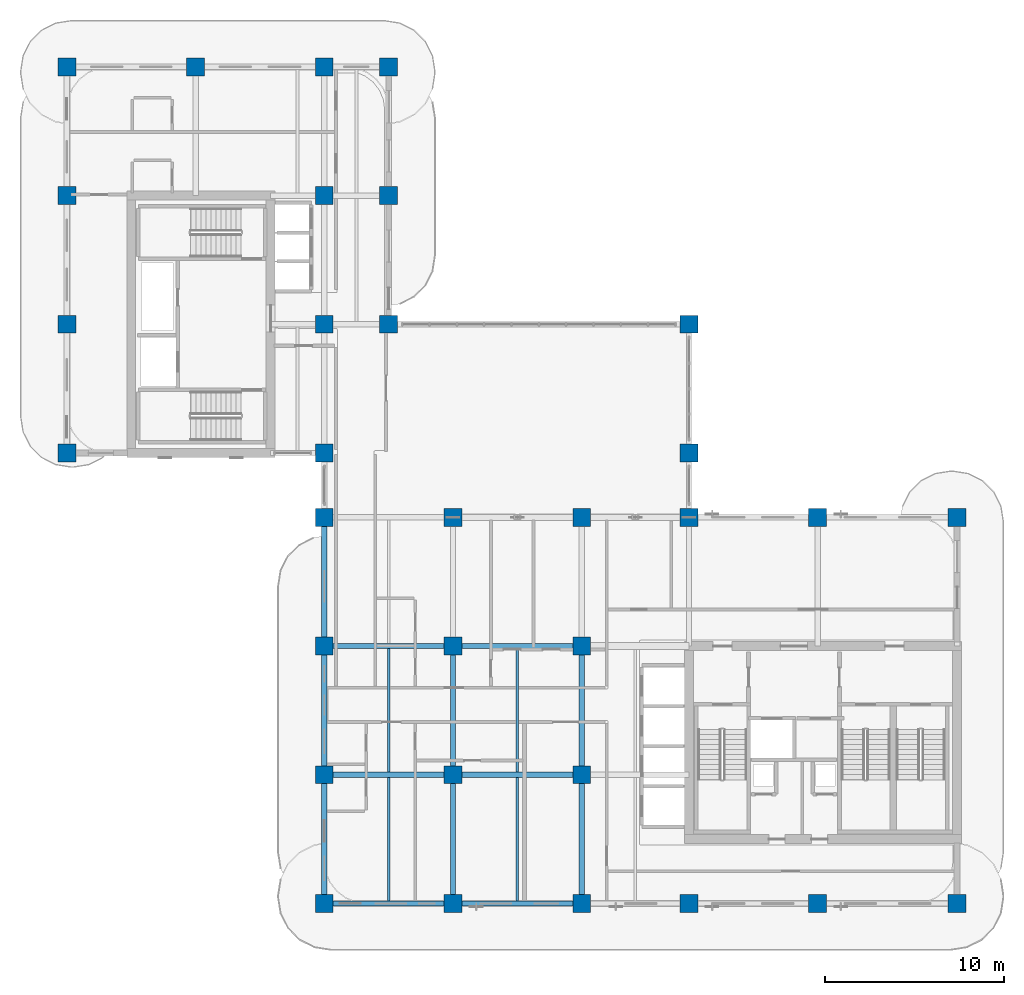
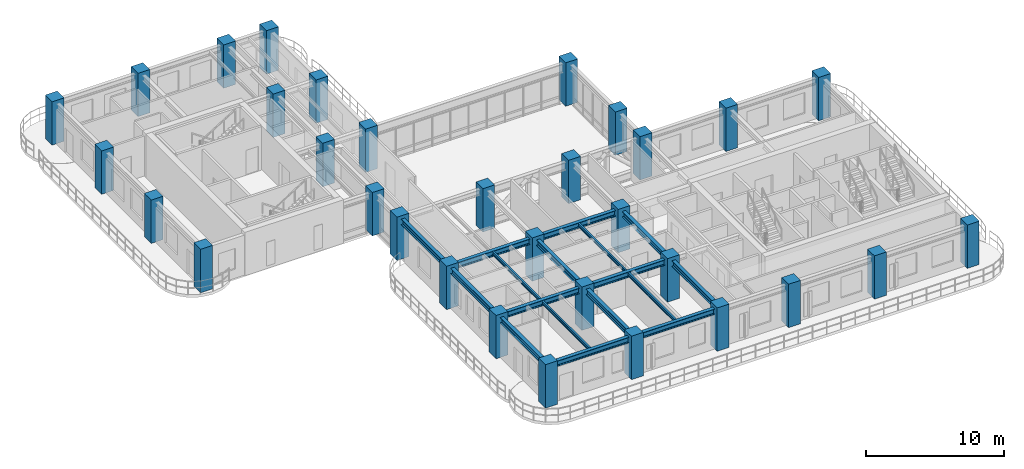
# One storey, part 1 of 17: 32 columns, 17 beams.
"""IFC4 building model written with IfcOpenShell, lengths in metres."""

import ifcopenshell
import ifcopenshell.guid

model = None  # the IFC model being written
_history = None  # IfcOwnerHistory: only IFC2X3 demands one
_inside = {}  # id of a spatial element -> (the spatial element, [elements in it])
_under = {}  # id of a project, library or spatial element -> (it, [spatial elements below it])
_declared = {}  # id of a project -> (the project, [libraries it declares])
_typed = {}  # id of a type object -> (the type object, [elements of that type])
_made_of = {}  # id of a material, layer set ... -> (it, [elements and type objects made of it])


def new_model(schema):
    """Start an empty IFC model of exactly this schema.

    Asked for "IFC4X3", IfcOpenShell would pick the latest addendum, in which some entities
    have other attributes; the version numbers below select the first issue.
    IFC2X3 requires an IfcOwnerHistory on every rooted entity: one is made here for all.
    """
    global model, _history
    if schema == "IFC4X3":
        model = ifcopenshell.file(schema_version=(4, 3, 0, 0))
    else:
        model = ifcopenshell.file(schema=schema)
    _inside.clear()
    _under.clear()
    _declared.clear()
    _typed.clear()
    _made_of.clear()
    _history = None
    if model.schema == "IFC2X3":
        org = make("IfcOrganization", Name="unknown")
        user = make(
            "IfcPersonAndOrganization",
            ThePerson=make("IfcPerson", FamilyName="unknown"),
            TheOrganization=org,
        )
        app = make(
            "IfcApplication",
            ApplicationDeveloper=org,
            Version="unknown",
            ApplicationFullName="unknown",
            ApplicationIdentifier="unknown",
        )
        _history = make(
            "IfcOwnerHistory",
            OwningUser=user,
            OwningApplication=app,
            ChangeAction="ADDED",
            CreationDate=0,
        )
    return model


def make(cls, **values):
    """One entity of the class cls with the attributes given. An attribute that is None is left unset."""
    return model.create_entity(
        cls, **{name: value for name, value in values.items() if value is not None}
    )


def rooted(cls, **values):
    """An entity with a GlobalId (a new one), such as an element, a storey or a relation."""
    return make(cls, GlobalId=ifcopenshell.guid.new(), OwnerHistory=_history, **values)


def si_unit(unit_type, name, prefix=None):
    """IfcSIUnit, for example si_unit("LENGTHUNIT", "METRE", prefix="MILLI")."""
    return make("IfcSIUnit", UnitType=unit_type, Prefix=prefix, Name=name)


def derived_unit(unit_type, elements):
    """IfcDerivedUnit: a product of units, each with its exponent."""
    return make(
        "IfcDerivedUnit",
        Elements=[
            make("IfcDerivedUnitElement", Unit=unit, Exponent=power)
            for unit, power in elements
        ],
        UnitType=unit_type,
    )


def assignment(units):
    """IfcUnitAssignment: the units of a project."""
    return None if units is None else make("IfcUnitAssignment", Units=units)


def point(xyz):
    """IfcCartesianPoint."""
    return None if xyz is None else make("IfcCartesianPoint", Coordinates=xyz)


def direction(xyz):
    """IfcDirection."""
    return None if xyz is None else make("IfcDirection", DirectionRatios=xyz)


def frame(location, z_axis=None, x_axis=None):
    """IfcAxis2Placement3D, a coordinate frame: its origin and axes. An axis left out is left unset."""
    return make(
        "IfcAxis2Placement3D",
        Location=point(location),
        Axis=direction(z_axis),
        RefDirection=direction(x_axis),
    )


def frame_2d(location, x_axis=None):
    """IfcAxis2Placement2D, a coordinate frame in the plane: its origin and x axis."""
    return make(
        "IfcAxis2Placement2D", Location=point(location), RefDirection=direction(x_axis)
    )


def origin():
    """The frame at (0, 0, 0) with its axes left unset."""
    return frame((0.0, 0.0, 0.0))


def origin_2d():
    """The frame at (0, 0) in the plane with its x axis left unset."""
    return frame_2d((0.0, 0.0))


def place(relative_to, where):
    """IfcLocalPlacement: puts the frame where relative to a parent placement (None: the world)."""
    return make(
        "IfcLocalPlacement", PlacementRelTo=relative_to, RelativePlacement=where
    )


def context(
    kind, dimensions, precision=None, world=None, true_north=None, identifier=None
):
    """IfcGeometricRepresentationContext, for example the 3D "Model" context."""
    return make(
        "IfcGeometricRepresentationContext",
        ContextIdentifier=identifier,
        ContextType=kind,
        CoordinateSpaceDimension=dimensions,
        Precision=precision,
        WorldCoordinateSystem=world,
        TrueNorth=true_north,
    )


def subcontext(parent, identifier, kind, view, scale=None):
    """IfcGeometricRepresentationSubContext, for example "Body" below "Model"."""
    return make(
        "IfcGeometricRepresentationSubContext",
        ContextIdentifier=identifier,
        ContextType=kind,
        ParentContext=parent,
        TargetScale=scale,
        TargetView=view,
    )


def project(units=None, contexts=None):
    """IfcProject with its units and contexts."""
    return rooted(
        "IfcProject",
        Name="project",
        RepresentationContexts=contexts,
        UnitsInContext=assignment(units),
    )


def spatial(cls, under=None, at=None, **own):
    """A site, building, storey or space (cls), placed at a placement, below another one or the project."""
    s = rooted(cls, ObjectPlacement=at, **own)
    if under is not None:
        _under.setdefault(under.id(), (under, []))[1].append(s)
    return s


def profile(cls, at=None, kind="AREA", **sizes):
    """A parametric profile (cls). Its sizes go by their IFC names, for example OverallWidth=200.0."""
    return make(cls, ProfileType=kind, Position=at, **sizes)


def rectangle(**sizes):
    """IfcRectangleProfileDef."""
    return profile("IfcRectangleProfileDef", **sizes)


def i_section(**sizes):
    """IfcIShapeProfileDef."""
    return profile("IfcIShapeProfileDef", **sizes)


def extrude(swept, where, along, depth):
    """IfcExtrudedAreaSolid: the profile swept, set in the frame where, extruded along a direction by depth."""
    return make(
        "IfcExtrudedAreaSolid",
        SweptArea=swept,
        Position=where,
        ExtrudedDirection=direction(along),
        Depth=depth,
    )


def shape(context_of_items, identifier, shape_type, items):
    """IfcShapeRepresentation: the items that make up one representation, for example the "Body"."""
    return make(
        "IfcShapeRepresentation",
        ContextOfItems=context_of_items,
        RepresentationIdentifier=identifier,
        RepresentationType=shape_type,
        Items=items,
    )


def source(mapping_origin, context_of_items, identifier, shape_type, items):
    """IfcRepresentationMap: a shape defined once, which mapped items show again and again."""
    return make(
        "IfcRepresentationMap",
        MappingOrigin=mapping_origin,
        MappedRepresentation=shape(context_of_items, identifier, shape_type, items),
    )


def transform(
    local_origin,
    x_axis=None,
    y_axis=None,
    z_axis=None,
    scale=None,
    scale2=None,
    scale3=None,
    uniform=True,
):
    """IfcCartesianTransformationOperator3D, or its non-uniform kind. x_axis, y_axis, z_axis: its Axis1, 2, 3."""
    if uniform:
        return make(
            "IfcCartesianTransformationOperator3D",
            Axis1=direction(x_axis),
            Axis2=direction(y_axis),
            LocalOrigin=point(local_origin),
            Scale=scale,
            Axis3=direction(z_axis),
        )
    return make(
        "IfcCartesianTransformationOperator3DnonUniform",
        Axis1=direction(x_axis),
        Axis2=direction(y_axis),
        LocalOrigin=point(local_origin),
        Scale=scale,
        Axis3=direction(z_axis),
        Scale2=scale2,
        Scale3=scale3,
    )


def mapped(mapping_source, mapping_target):
    """IfcMappedItem: shows the shape of a source again, moved by a transform."""
    return make(
        "IfcMappedItem", MappingSource=mapping_source, MappingTarget=mapping_target
    )


def material(Name=None, Category=None):
    """IfcMaterial."""
    return make("IfcMaterial", Name=Name, Category=Category)


def material_profile(
    of_material, cross_section, Name=None, Category=None, Priority=None
):
    """IfcMaterialProfile: a cross section and its material."""
    return make(
        "IfcMaterialProfile",
        Name=Name,
        Material=of_material,
        Profile=cross_section,
        Priority=Priority,
        Category=Category,
    )


def profile_set(profiles, Name=None, composite=None):
    """IfcMaterialProfileSet."""
    return make(
        "IfcMaterialProfileSet",
        Name=Name,
        MaterialProfiles=profiles,
        CompositeProfile=composite,
    )


def made_of(thing, what):
    """Note that an element or type object is made of a material, layer set ...; save() writes the relation."""
    if what is not None:
        _made_of.setdefault(what.id(), (what, []))[1].append(thing)
    return thing


def type_object(cls, material=None, **own):
    """A type object (cls), such as IfcWallType, which elements share."""
    return made_of(rooted(cls, **own), material)


def type_shapes(of_type, sources):
    """Give a type object the sources (RepresentationMaps) that its elements show as mapped items."""
    of_type.RepresentationMaps = sources


def element(
    cls,
    number,
    at=None,
    inside=None,
    cuts=None,
    type_object=None,
    material=None,
    context=None,
    identifier="Body",
    shape_type=None,
    held_by="IfcProductDefinitionShape",
    body=None,
    shapes=None,
    **own,
):
    """One element of the class cls, such as IfcWall. Its Tag is "e" and its number.

    at: its placement. inside: the storey or other place that contains it. cuts: it is an
    opening in that element (IfcRelVoidsElement). A single representation is given by context,
    identifier, shape_type and body (its items); several are given by shapes. held_by: the class
    of the entity that holds the representations. save() writes the other relations.
    """
    e = rooted(cls, Tag="e%d" % number, ObjectPlacement=at, **own)
    if body is not None:
        shapes = [shape(context, identifier, shape_type, body)]
    if shapes is not None:
        e.Representation = make(held_by, Representations=shapes)
    if inside is not None:
        _inside.setdefault(inside.id(), (inside, []))[1].append(e)
    if cuts is not None:
        rooted(
            "IfcRelVoidsElement", RelatingBuildingElement=cuts, RelatedOpeningElement=e
        )
    if type_object is not None:
        _typed.setdefault(type_object.id(), (type_object, []))[1].append(e)
    return made_of(e, material)


def aggregate(whole, parts):
    """IfcRelAggregates: a whole, such as a stair, and the parts it consists of."""
    return rooted("IfcRelAggregates", RelatingObject=whole, RelatedObjects=parts)


def save(model, path):
    """Write the relations noted so far, then the file.

    IfcRelAggregates (storeys below a building ...), IfcRelContainedInSpatialStructure (elements
    in a storey), IfcRelDefinesByType, IfcRelAssociatesMaterial and IfcRelDeclares: one each for
    every whole, place, type object, material and project.
    """
    for whole, parts in _under.values():
        aggregate(whole, parts)
    for where, things in _inside.values():
        rooted(
            "IfcRelContainedInSpatialStructure",
            RelatedElements=things,
            RelatingStructure=where,
        )
    for kind, things in _typed.values():
        rooted("IfcRelDefinesByType", RelatedObjects=things, RelatingType=kind)
    for what, things in _made_of.values():
        rooted("IfcRelAssociatesMaterial", RelatedObjects=things, RelatingMaterial=what)
    for by, libraries in _declared.values():
        rooted("IfcRelDeclares", RelatingContext=by, RelatedDefinitions=libraries)
    model.write(path)


model = new_model("IFC4")

# Units and contexts
model_context = context("Model", 3, precision=1e-05, world=origin(), true_north=direction((0.0, 1.0)))
body_context = subcontext(model_context, "Body", "Model", "MODEL_VIEW")
ifc_project = project(units=[si_unit("LENGTHUNIT", "METRE"), si_unit("AREAUNIT", "SQUARE_METRE"), si_unit("VOLUMEUNIT", "CUBIC_METRE"), si_unit("PLANEANGLEUNIT", "RADIAN"), si_unit("MASSUNIT", "GRAM", prefix="KILO"), si_unit("THERMODYNAMICTEMPERATUREUNIT", "KELVIN"), si_unit("POWERUNIT", "WATT"), derived_unit("THERMALTRANSMITTANCEUNIT", [(si_unit("POWERUNIT", "WATT"), 1), (si_unit("AREAUNIT", "SQUARE_METRE"), -1), (si_unit("THERMODYNAMICTEMPERATUREUNIT", "KELVIN"), -1)])], contexts=[model_context])

# Site, building, storey
site_placement = place(None, origin())
site = spatial("IfcSite", under=ifc_project, at=site_placement, CompositionType="ELEMENT")
building_placement = place(site_placement, origin())
building = spatial("IfcBuilding", under=site, at=building_placement, Name="Zahravan Archway Hotel and Residences", CompositionType="ELEMENT")
storey_placement = place(building_placement, frame((0.0, 0.0, 192.64990234375)))
storey = spatial("IfcBuildingStorey", under=building, at=storey_placement, Name="L48", CompositionType="ELEMENT", Elevation=192.64990234375)

# Columns
ifc_material_1 = material(Name="Concrete C60/75", Category="concrete")
ifc_material_profile_1 = material_profile(ifc_material_1, rectangle(XDim=1.0, YDim=1.0, at=origin_2d()), Name="RC-COL-1000x1000", Category="concrete")
ifc_profile_set_1 = profile_set([ifc_material_profile_1], Name="Concrete C60/75")
column_type = type_object("IfcColumnType", Name="COL-RC-1000", PredefinedType="COLUMN", material=ifc_profile_set_1)
shared_shape_1 = source(origin(), body_context, "Body", "SweptSolid", [
    extrude(rectangle(XDim=1.0, YDim=1.0, at=origin_2d()), origin(), (0.0, 0.0, 1.0), 3.85009765625),
])
for number, where, z_axis, x_axis, name in (
    (1, (0.0, 25.199951171875, 0.0), (0.0, 0.0, 1.0), (1.0, 0.0, 0.0), "L48 Column 1-E"),
    (2, (0.0, 32.39990234375, 0.0), (0.0, 0.0, 1.0), (1.0, 0.0, 0.0), "L48 Column 1-F"),
    (3, (0.0, 39.60009765625, 0.0), (0.0, 0.0, 1.0), (1.0, 0.0, 0.0), "L48 Column 1-G"),
    (4, (0.0, 46.800048828125, 0.0), (0.0, 0.0, 1.0), (1.0, 0.0, 0.0), "L48 Column 1-H"),
    (5, (7.199951171875, 46.800048828125, 0.0), (0.0, 0.0, 1.0), (1.0, 0.0, 0.0), "L48 Column 2-H"),
    (6, (14.39990234375, 0.0, 0.0), (0.0, 0.0, 1.0), (1.0, 0.0, 0.0), "L48 Column 3-A"),
    (7, (14.39990234375, 7.199951171875, 0.0), (0.0, 0.0, 1.0), (1.0, 0.0, 0.0), "L48 Column 3-B"),
    (8, (14.39990234375, 14.39990234375, 0.0), (0.0, 0.0, 1.0), (1.0, 0.0, 0.0), "L48 Column 3-C"),
    (9, (14.39990234375, 21.60009765625, 0.0), (0.0, 0.0, 1.0), (1.0, 0.0, 0.0), "L48 Column 3-D"),
    (10, (14.39990234375, 25.199951171875, 0.0), (0.0, 0.0, 1.0), (1.0, 0.0, 0.0), "L48 Column 3-E"),
    (11, (14.39990234375, 32.39990234375, 0.0), (0.0, 0.0, 1.0), (1.0, 0.0, 0.0), "L48 Column 3-F"),
    (12, (14.39990234375, 39.60009765625, 0.0), (0.0, 0.0, 1.0), (1.0, 0.0, 0.0), "L48 Column 3-G"),
    (13, (14.39990234375, 46.800048828125, 0.0), (0.0, 0.0, 1.0), (1.0, 0.0, 0.0), "L48 Column 3-H"),
    (14, (21.60009765625, 0.0, 0.0), (0.0, 0.0, 1.0), (1.0, 0.0, 0.0), "L48 Column 4-A"),
    (15, (21.60009765625, 7.199951171875, 0.0), (0.0, 0.0, 1.0), (1.0, 0.0, 0.0), "L48 Column 4-B"),
    (16, (21.60009765625, 14.39990234375, 0.0), (0.0, 0.0, 1.0), (1.0, 0.0, 0.0), "L48 Column 4-C"),
    (17, (21.60009765625, 21.60009765625, 0.0), (0.0, 0.0, 1.0), (1.0, 0.0, 0.0), "L48 Column 4-D"),
    (18, (28.800048828125, 0.0, 0.0), (0.0, 0.0, 1.0), (1.0, 0.0, 0.0), "L48 Column 5-A"),
    (19, (28.800048828125, 7.199951171875, 0.0), (0.0, 0.0, 1.0), (1.0, 0.0, 0.0), "L48 Column 5-B"),
    (20, (28.800048828125, 14.39990234375, 0.0), (0.0, 0.0, 1.0), (1.0, 0.0, 0.0), "L48 Column 5-C"),
    (21, (28.800048828125, 21.60009765625, 0.0), (0.0, 0.0, 1.0), (1.0, 0.0, 0.0), "L48 Column 5-D"),
    (22, (34.800048828125, 0.0, 0.0), (0.0, 0.0, 1.0), (1.0, 0.0, 0.0), "L48 Column 6-A"),
    (23, (34.800048828125, 21.60009765625, 0.0), (0.0, 0.0, 1.0), (1.0, 0.0, 0.0), "L48 Column 6-D"),
    (24, (34.800048828125, 25.199951171875, 0.0), (0.0, 0.0, 1.0), (1.0, 0.0, 0.0), "L48 Column 6-E"),
    (25, (34.800048828125, 32.39990234375, 0.0), (0.0, 0.0, 1.0), (1.0, 0.0, 0.0), "L48 Column 6-F"),
    (26, (42.0, 0.0, 0.0), (0.0, 0.0, 1.0), (1.0, 0.0, 0.0), "L48 Column 7-A"),
    (27, (42.0, 21.60009765625, 0.0), (0.0, 0.0, 1.0), (1.0, 0.0, 0.0), "L48 Column 7-D"),
    (28, (49.800048828125, 0.0, 0.0), (0.0, 0.0, 1.0), (1.0, 0.0, 0.0), "L48 Column 8-A"),
    (29, (49.800048828125, 21.60009765625, 0.0), (0.0, 0.0, 1.0), (1.0, 0.0, 0.0), "L48 Column 8-D"),
    (30, (18.0, 32.39990234375, 0.0), (0.0, 0.0, 1.0), (1.0, 0.0, 0.0), "L48 Column 3B-F"),
    (31, (18.0, 39.60009765625, 0.0), (0.0, 0.0, 1.0), (1.0, 0.0, 0.0), "L48 Column 3B-G"),
    (32, (18.0, 46.800048828125, 0.0), (0.0, 0.0, 1.0), (1.0, 0.0, 0.0), "L48 Column 3B-H"),
):
    element("IfcColumn", number, at=place(storey_placement, frame(where, z_axis=z_axis, x_axis=x_axis)), inside=storey, type_object=column_type, Name=name, PredefinedType="COLUMN", context=body_context, shape_type="MappedRepresentation", body=[
        mapped(shared_shape_1, transform((0.0, 0.0, 0.0), scale=1.0)),
    ])

# Beams
ifc_material_2 = material(Name="Structural Steel S355JR", Category="steel")
ifc_material_profile_2 = material_profile(ifc_material_2, i_section(OverallWidth=0.300048828125, OverallDepth=0.5, WebThickness=0.014404296875, FlangeThickness=0.028076171875, FilletRadius=0.027099609375, at=origin_2d()), Name="HEB 500", Category="steel")
ifc_profile_set_2 = profile_set([ifc_material_profile_2], Name="Structural Steel S355JR")
beam_type_1 = type_object("IfcBeamType", Name="BM-PRI-HEB500", PredefinedType="BEAM", material=ifc_profile_set_2)
shared_shape_2 = source(origin(), body_context, "Body", "SweptSolid", [
    extrude(i_section(OverallWidth=0.300048828125, OverallDepth=0.5, WebThickness=0.014404296875, FlangeThickness=0.028076171875, FilletRadius=0.027099609375, at=origin_2d()), origin(), (0.0, 0.0, 1.0), 7.2001953125),
])
type_shapes(beam_type_1, [shared_shape_2])
for number, where, z_axis, x_axis, name in (
    (33, (14.39990234375, 0.0, 3.300048828125), (1.0, 0.0, 0.0), (0.0, 1.0, 0.0), "L48 Primary Girder EW-01"),
    (34, (14.39990234375, 7.199951171875, 3.300048828125), (1.0, 0.0, 0.0), (0.0, 1.0, 0.0), "L48 Primary Girder EW-06"),
    (35, (14.39990234375, 14.39990234375, 3.300048828125), (1.0, 0.0, 0.0), (0.0, 1.0, 0.0), "L48 Primary Girder EW-09"),
    (36, (14.39990234375, 14.39990234375, 3.300048828125), (0.0, 1.0, 0.0), (-1.0, 0.0, 0.0), "L48 Primary Girder NS-29"),
):
    element("IfcBeam", number, at=place(storey_placement, frame(where, z_axis=z_axis, x_axis=x_axis)), inside=storey, type_object=beam_type_1, Name=name, PredefinedType="BEAM", context=body_context, shape_type="MappedRepresentation", body=[
        mapped(shared_shape_2, transform((0.0, 0.0, 0.0), scale=1.0)),
    ])
shared_shape_3 = source(origin(), body_context, "Body", "SweptSolid", [
    extrude(i_section(OverallWidth=0.300048828125, OverallDepth=0.5, WebThickness=0.014404296875, FlangeThickness=0.028076171875, FilletRadius=0.027099609375, at=origin_2d()), origin(), (0.0, 0.0, 1.0), 7.199951171875),
])
for number, where, z_axis, x_axis, name in (
    (37, (21.60009765625, 0.0, 3.300048828125), (1.0, 0.0, 0.0), (0.0, 1.0, 0.0), "L48 Primary Girder EW-02"),
    (38, (21.60009765625, 7.199951171875, 3.300048828125), (1.0, 0.0, 0.0), (0.0, 1.0, 0.0), "L48 Primary Girder EW-07"),
    (39, (21.60009765625, 14.39990234375, 3.300048828125), (1.0, 0.0, 0.0), (0.0, 1.0, 0.0), "L48 Primary Girder EW-10"),
    (40, (14.39990234375, 0.0, 3.300048828125), (0.0, 1.0, 0.0), (-1.0, 0.0, 0.0), "L48 Primary Girder NS-27"),
    (41, (14.39990234375, 7.199951171875, 3.300048828125), (0.0, 1.0, 0.0), (-1.0, 0.0, 0.0), "L48 Primary Girder NS-28"),
    (42, (21.60009765625, 0.0, 3.300048828125), (0.0, 1.0, 0.0), (-1.0, 0.0, 0.0), "L48 Primary Girder NS-34"),
    (43, (21.60009765625, 7.199951171875, 3.300048828125), (0.0, 1.0, 0.0), (-1.0, 0.0, 0.0), "L48 Primary Girder NS-35"),
    (44, (28.800048828125, 0.0, 3.300048828125), (0.0, 1.0, 0.0), (-1.0, 0.0, 0.0), "L48 Primary Girder NS-37"),
    (45, (28.800048828125, 7.199951171875, 3.300048828125), (0.0, 1.0, 0.0), (-1.0, 0.0, 0.0), "L48 Primary Girder NS-38"),
):
    element("IfcBeam", number, at=place(storey_placement, frame(where, z_axis=z_axis, x_axis=x_axis)), inside=storey, type_object=beam_type_1, Name=name, PredefinedType="BEAM", context=body_context, shape_type="MappedRepresentation", body=[
        mapped(shared_shape_3, transform((0.0, 0.0, 0.0), scale=1.0)),
    ])
ifc_material_profile_3 = material_profile(ifc_material_2, i_section(OverallWidth=0.14990234375, OverallDepth=0.300048828125, WebThickness=0.007080078125, FlangeThickness=0.0107421875, FilletRadius=0.014892578125, at=origin_2d()), Name="IPE 300", Category="steel")
ifc_profile_set_3 = profile_set([ifc_material_profile_3], Name="Structural Steel S355JR")
beam_type_2 = type_object("IfcBeamType", Name="BM-JST-IPE300", PredefinedType="JOIST", material=ifc_profile_set_3)
shared_shape_4 = source(origin(), body_context, "Body", "SweptSolid", [
    extrude(i_section(OverallWidth=0.14990234375, OverallDepth=0.300048828125, WebThickness=0.007080078125, FlangeThickness=0.0107421875, FilletRadius=0.014892578125, at=origin_2d()), origin(), (0.0, 0.0, 1.0), 6.904052734375),
])
type_shapes(beam_type_2, [shared_shape_4])
for number, where, z_axis, x_axis, name in (
    (46, (18.0, 0.14794921875, 3.400146484375), (0.0, 1.0, 0.0), (-1.0, 0.0, 0.0), "L48 Composite Floor Joist 01"),
    (47, (25.199951171875, 0.14794921875, 3.400146484375), (0.0, 1.0, 0.0), (-1.0, 0.0, 0.0), "L48 Composite Floor Joist 02"),
    (48, (18.0, 7.347900390625, 3.400146484375), (0.0, 1.0, 0.0), (-1.0, 0.0, 0.0), "L48 Composite Floor Joist 04"),
    (49, (25.199951171875, 7.347900390625, 3.400146484375), (0.0, 1.0, 0.0), (-1.0, 0.0, 0.0), "L48 Composite Floor Joist 05"),
):
    element("IfcBeam", number, at=place(storey_placement, frame(where, z_axis=z_axis, x_axis=x_axis)), inside=storey, type_object=beam_type_2, Name=name, PredefinedType="JOIST", context=body_context, shape_type="MappedRepresentation", body=[
        mapped(shared_shape_4, transform((0.0, 0.0, 0.0), scale=1.0)),
    ])

save(model, "model.ifc")
